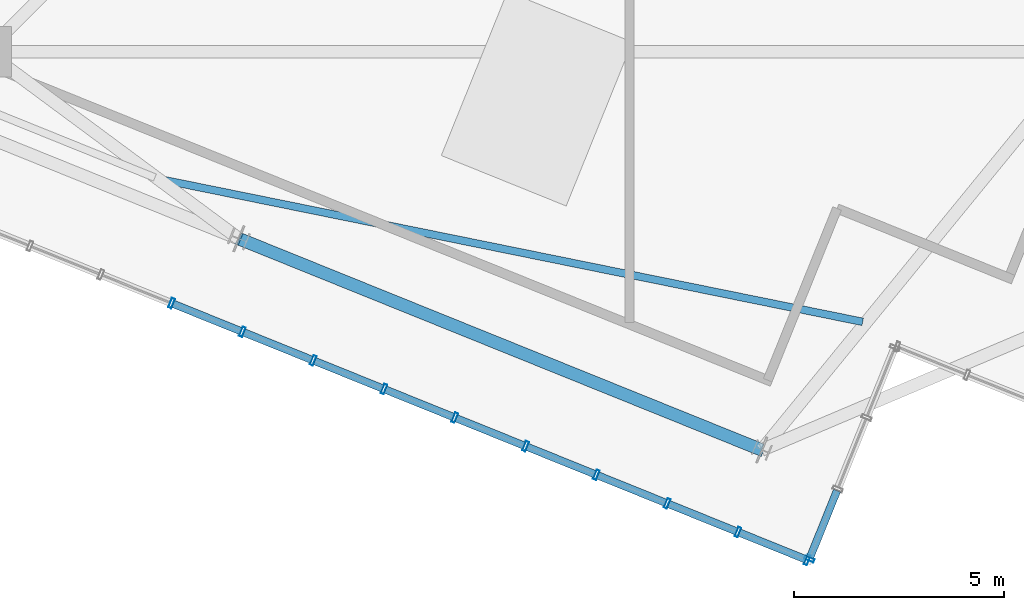
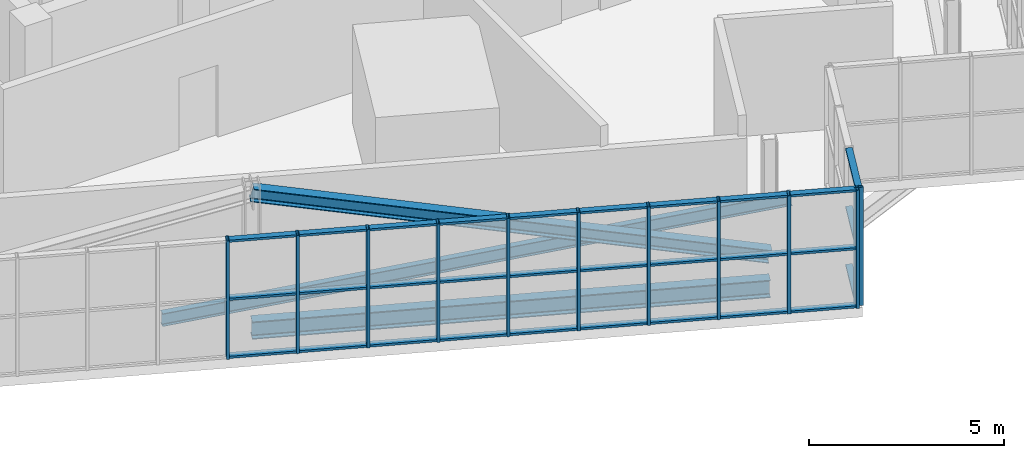
# One storey, part 4 of 26: 42 members, 2 beams, 2 elements without a shape of their own.
"""IFC4 building model written with IfcOpenShell, lengths in metres."""

from ifc_helpers import new_model, si_unit, direction, frame, origin, origin_2d, place, context, subcontext, project, spatial, hollow_rectangle, i_section, extrude, source, transform, mapped, material, layer, layer_set, material_profile, profile_set, type_object, element, aggregate, save


model = new_model("IFC4")

# Units and contexts
model_context = context("Model", 3, precision=1e-05, world=origin(), true_north=direction((0.0, 1.0)))
body_context = subcontext(model_context, "Body", "Model", "MODEL_VIEW")
ifc_project = project(units=[si_unit("LENGTHUNIT", "METRE"), si_unit("AREAUNIT", "SQUARE_METRE"), si_unit("VOLUMEUNIT", "CUBIC_METRE"), si_unit("PLANEANGLEUNIT", "RADIAN"), si_unit("MASSUNIT", "GRAM", prefix="KILO"), si_unit("THERMODYNAMICTEMPERATUREUNIT", "KELVIN")], contexts=[model_context])

# Site, building, storey
site_placement = place(None, origin())
site = spatial("IfcSite", under=ifc_project, at=site_placement, CompositionType="ELEMENT")
building_placement = place(site_placement, origin())
building = spatial("IfcBuilding", under=site, at=building_placement, Name="Kosmvard Interchange Tower", CompositionType="ELEMENT")
storey_placement = place(building_placement, frame((0.0, 0.0, 329.60009765625)))
storey = spatial("IfcBuildingStorey", under=building, at=storey_placement, Name="L81", CompositionType="ELEMENT", Elevation=329.60009765625)

# Member
ifc_material_1 = material(Name="Steel S355", Category="steel")
ifc_material_profile_1 = material_profile(ifc_material_1, i_section(OverallWidth=0.300048828125, OverallDepth=0.39990234375, WebThickness=0.013427734375, FlangeThickness=0.02392578125, FilletRadius=0.027099609375, at=origin_2d()), Name="HEB 400")
ifc_profile_set_1 = profile_set([ifc_material_profile_1], Name="Steel S355")
member_type_1 = type_object("IfcMemberType", Name="Lantern Crown Diagrid Brace HEB 400 S355", PredefinedType="BRACE", material=ifc_profile_set_1)
shared_shape_1 = source(origin(), body_context, "Body", "SweptSolid", [
    extrude(i_section(OverallWidth=0.300048828125, OverallDepth=0.39990234375, WebThickness=0.013427734375, FlangeThickness=0.02392578125, FilletRadius=0.027099609375, at=origin_2d()), origin(), (0.0, 0.0, 1.0), 13.783935546875),
])
member_1_placement = place(storey_placement, frame((5.34423828125, -22.54345703125, 0.419921875), z_axis=(-0.901367558742, 0.364177999122, 0.234330768366), x_axis=(-0.374608243744, -0.927183187789, 0.0)))
element("IfcMember", 1, at=member_1_placement, inside=storey, type_object=member_type_1, Name="L81 Crown Lantern Diagrid Brace W2", PredefinedType="BRACE", context=body_context, shape_type="MappedRepresentation", body=[
    mapped(shared_shape_1, transform((0.0, 0.0, 0.0), scale=1.0)),
])

# Beams
ifc_material_profile_2 = material_profile(ifc_material_1, i_section(OverallWidth=0.300048828125, OverallDepth=0.550048828125, WebThickness=0.014892578125, FlangeThickness=0.029052734375, FilletRadius=0.027099609375, at=origin_2d()), Name="HEB 550")
ifc_profile_set_2 = profile_set([ifc_material_profile_2], Name="Steel S355")
beam_type_1 = type_object("IfcBeamType", Name="Crown Ring Cap Girder HEB 550 S355", PredefinedType="BEAM", material=ifc_profile_set_2)
shared_shape_2 = source(origin(), body_context, "Body", "SweptSolid", [
    extrude(i_section(OverallWidth=0.300048828125, OverallDepth=0.550048828125, WebThickness=0.014892578125, FlangeThickness=0.029052734375, FilletRadius=0.027099609375, at=origin_2d()), origin(), (0.0, 0.0, 1.0), 13.400146484375),
])
beam_1_placement = place(storey_placement, frame((-7.080078125, -17.523681640625, -0.5751953125), z_axis=(0.927183187789, -0.374608243744, 0.0), x_axis=(0.374608243744, 0.927183187789, 0.0)))
element("IfcBeam", 2, at=beam_1_placement, inside=storey, type_object=beam_type_1, Name="BM-L81-PR11", PredefinedType="BEAM", context=body_context, shape_type="MappedRepresentation", body=[
    mapped(shared_shape_2, transform((0.0, 0.0, 0.0), scale=1.0)),
])
ifc_material_profile_3 = material_profile(ifc_material_1, i_section(OverallWidth=0.179931640625, OverallDepth=0.39990234375, WebThickness=0.008544921875, FlangeThickness=0.013427734375, FilletRadius=0.02099609375, at=origin_2d()), Name="IPE 400")
ifc_profile_set_3 = profile_set([ifc_material_profile_3], Name="Steel S355")
beam_type_2 = type_object("IfcBeamType", Name="Upper-Zone Floor Joist IPE 400 S355", PredefinedType="JOIST", material=ifc_profile_set_3)
shared_shape_3 = source(origin(), body_context, "Body", "SweptSolid", [
    extrude(i_section(OverallWidth=0.179931640625, OverallDepth=0.39990234375, WebThickness=0.008544921875, FlangeThickness=0.013427734375, FilletRadius=0.02099609375, at=origin_2d()), origin(), (0.0, 0.0, 1.0), 17.0029296875),
])
beam_2_placement = place(storey_placement, frame((-8.921875, -16.117919921875, -0.5), z_axis=(0.98002341059, -0.198882162837, 0.0), x_axis=(0.198882162837, 0.98002341059, 0.0)))
element("IfcBeam", 3, at=beam_2_placement, inside=storey, type_object=beam_type_2, Name="BM-L81-FJ08", PredefinedType="JOIST", context=body_context, shape_type="MappedRepresentation", body=[
    mapped(shared_shape_3, transform((0.0, 0.0, 0.0), scale=1.0)),
])

# Curtain wall, members
ifc_material_2 = material(Name="Architectural anodised aluminium", Category="aluminium")
ifc_layer = layer(ifc_material_2, 0.25, Name="Architectural anodised aluminium")
ifc_layer_set = layer_set([ifc_layer], Name="Architectural anodised aluminium")
curtain_wall_type = type_object("IfcCurtainWallType", Name="CW-6 Illuminated Crown Lantern Curtain Wall", PredefinedType="NOTDEFINED", material=ifc_layer_set)
curtain_wall_1_placement = place(storey_placement, origin())
curtain_wall_1 = element("IfcCurtainWall", 4, at=curtain_wall_1_placement, inside=storey, type_object=curtain_wall_type, Name="L81 Crown Lantern Glazing Face 10", PredefinedType="NOTDEFINED")
ifc_material_profile_4 = material_profile(ifc_material_2, hollow_rectangle(XDim=0.239990234375, YDim=0.080078125, WallThickness=0.006103515625, at=origin_2d()), Name="CWM 240x80x6")
ifc_profile_set_4 = profile_set([ifc_material_profile_4], Name="Architectural anodised aluminium")
member_type_2 = type_object("IfcMemberType", Name="Lantern & Observation CW Mullion 240x80 Aluminium", PredefinedType="MULLION", material=ifc_profile_set_4)
shared_shape_4 = source(origin(), body_context, "Body", "SweptSolid", [
    extrude(hollow_rectangle(XDim=0.239990234375, YDim=0.080078125, WallThickness=0.006103515625, at=origin_2d()), origin(), (0.0, 0.0, 1.0), 3.699951171875),
])
member_2_placement = place(storey_placement, frame((-8.677734375, -19.056884765625, 0.0), z_axis=(0.0, 0.0, 1.0), x_axis=(0.374606584758, 0.927183858065, 0.0)))
member_2 = element("IfcMember", 5, at=member_2_placement, type_object=member_type_2, Name="CW-6 mullion 9", PredefinedType="MULLION", context=body_context, shape_type="MappedRepresentation", body=[
    mapped(shared_shape_4, transform((0.0, 0.0, 0.0), scale=1.0)),
])
member_3_placement = place(storey_placement, frame((-6.995849609375, -19.736572265625, 0.0), z_axis=(0.0, 0.0, 1.0), x_axis=(0.374606584758, 0.927183858065, 0.0)))
member_3 = element("IfcMember", 6, at=member_3_placement, type_object=member_type_2, Name="CW-6 mullion 10", PredefinedType="MULLION", context=body_context, shape_type="MappedRepresentation", body=[
    mapped(shared_shape_4, transform((0.0, 0.0, 0.0), scale=1.0)),
])
member_4_placement = place(storey_placement, frame((-5.313720703125, -20.416015625, 0.0), z_axis=(0.0, 0.0, 1.0), x_axis=(0.374606584758, 0.927183858065, 0.0)))
member_4 = element("IfcMember", 7, at=member_4_placement, type_object=member_type_2, Name="CW-6 mullion 11", PredefinedType="MULLION", context=body_context, shape_type="MappedRepresentation", body=[
    mapped(shared_shape_4, transform((0.0, 0.0, 0.0), scale=1.0)),
])
member_5_placement = place(storey_placement, frame((-3.6318359375, -21.095703125, 0.0), z_axis=(0.0, 0.0, 1.0), x_axis=(0.374606584758, 0.927183858065, 0.0)))
member_5 = element("IfcMember", 8, at=member_5_placement, type_object=member_type_2, Name="CW-6 mullion 12", PredefinedType="MULLION", context=body_context, shape_type="MappedRepresentation", body=[
    mapped(shared_shape_4, transform((0.0, 0.0, 0.0), scale=1.0)),
])
member_6_placement = place(storey_placement, frame((-1.94970703125, -21.775146484375, 0.0), z_axis=(0.0, 0.0, 1.0), x_axis=(0.374606584758, 0.927183858065, 0.0)))
member_6 = element("IfcMember", 9, at=member_6_placement, type_object=member_type_2, Name="CW-6 mullion 13", PredefinedType="MULLION", context=body_context, shape_type="MappedRepresentation", body=[
    mapped(shared_shape_4, transform((0.0, 0.0, 0.0), scale=1.0)),
])
member_7_placement = place(storey_placement, frame((-0.267578125, -22.454833984375, 0.0), z_axis=(0.0, 0.0, 1.0), x_axis=(0.374606584758, 0.927183858065, 0.0)))
member_7 = element("IfcMember", 10, at=member_7_placement, type_object=member_type_2, Name="CW-6 mullion 14", PredefinedType="MULLION", context=body_context, shape_type="MappedRepresentation", body=[
    mapped(shared_shape_4, transform((0.0, 0.0, 0.0), scale=1.0)),
])
member_8_placement = place(storey_placement, frame((1.414306640625, -23.13427734375, 0.0), z_axis=(0.0, 0.0, 1.0), x_axis=(0.374606584758, 0.927183858065, 0.0)))
member_8 = element("IfcMember", 11, at=member_8_placement, type_object=member_type_2, Name="CW-6 mullion 15", PredefinedType="MULLION", context=body_context, shape_type="MappedRepresentation", body=[
    mapped(shared_shape_4, transform((0.0, 0.0, 0.0), scale=1.0)),
])
member_9_placement = place(storey_placement, frame((3.096435546875, -23.81396484375, 0.0), z_axis=(0.0, 0.0, 1.0), x_axis=(0.374606584758, 0.927183858065, 0.0)))
member_9 = element("IfcMember", 12, at=member_9_placement, type_object=member_type_2, Name="CW-6 mullion 16", PredefinedType="MULLION", context=body_context, shape_type="MappedRepresentation", body=[
    mapped(shared_shape_4, transform((0.0, 0.0, 0.0), scale=1.0)),
])
member_10_placement = place(storey_placement, frame((4.7783203125, -24.49365234375, 0.0), z_axis=(0.0, 0.0, 1.0), x_axis=(0.374606584758, 0.927183858065, 0.0)))
member_10 = element("IfcMember", 13, at=member_10_placement, type_object=member_type_2, Name="CW-6 mullion 17", PredefinedType="MULLION", context=body_context, shape_type="MappedRepresentation", body=[
    mapped(shared_shape_4, transform((0.0, 0.0, 0.0), scale=1.0)),
])
member_11_placement = place(storey_placement, frame((6.42333984375, -25.158203125, 0.0), z_axis=(0.0, 0.0, 1.0), x_axis=(0.374606584758, 0.927183858065, 0.0)))
member_11 = element("IfcMember", 14, at=member_11_placement, type_object=member_type_2, Name="CW-6 mullion 18", PredefinedType="MULLION", context=body_context, shape_type="MappedRepresentation", body=[
    mapped(shared_shape_4, transform((0.0, 0.0, 0.0), scale=1.0)),
])

# Curtain wall, member
curtain_wall_2_placement = place(storey_placement, origin())
curtain_wall_2 = element("IfcCurtainWall", 15, at=curtain_wall_2_placement, inside=storey, type_object=curtain_wall_type, Name="L81 Crown Lantern Glazing Face 11", PredefinedType="NOTDEFINED")
member_12_placement = place(storey_placement, frame((6.475341796875, -25.135986328125, 0.0), z_axis=(0.0, 0.0, 1.0), x_axis=(-0.92718386612, 0.374606564822, 0.0)))
member_12 = element("IfcMember", 16, at=member_12_placement, type_object=member_type_2, Name="CW-6 mullion 1", PredefinedType="MULLION", context=body_context, shape_type="MappedRepresentation", body=[
    mapped(shared_shape_4, transform((0.0, 0.0, 0.0), scale=1.0)),
])

# Member
ifc_material_profile_5 = material_profile(ifc_material_2, hollow_rectangle(XDim=0.179931640625, YDim=0.070068359375, WallThickness=0.0048828125, at=origin_2d()), Name="CWT 180x70x5")
ifc_profile_set_5 = profile_set([ifc_material_profile_5], Name="Architectural anodised aluminium")
member_type_3 = type_object("IfcMemberType", Name="Heavy Lantern CW Transom 180x70 Aluminium", PredefinedType="USERDEFINED", material=ifc_profile_set_5)
shared_shape_5 = source(origin(), body_context, "Body", "SweptSolid", [
    extrude(hollow_rectangle(XDim=0.179931640625, YDim=0.070068359375, WallThickness=0.0048828125, at=origin_2d()), origin(), (0.0, 0.0, 1.0), 1.694091796875),
])
member_13_placement = place(storey_placement, frame((4.8154296875, -24.508544921875, 0.034912109375), z_axis=(0.927209116514, -0.374544061831, 0.0), x_axis=(0.374544061831, 0.927209116514, 0.0)))
member_13 = element("IfcMember", 17, at=member_13_placement, type_object=member_type_3, Name="CW-6 transom 17.1", ObjectType="TRANSOM", PredefinedType="USERDEFINED", context=body_context, shape_type="MappedRepresentation", body=[
    mapped(shared_shape_5, transform((0.0, 0.0, 0.0), scale=1.0)),
])

member_14_placement = place(storey_placement, frame((4.8154296875, -24.508544921875, 1.849853515625), z_axis=(0.927209116514, -0.374544061831, 0.0), x_axis=(0.374544061831, 0.927209116514, 0.0)))
member_14 = element("IfcMember", 18, at=member_14_placement, type_object=member_type_3, Name="CW-6 transom 17.2", ObjectType="TRANSOM", PredefinedType="USERDEFINED", context=body_context, shape_type="MappedRepresentation", body=[
    mapped(shared_shape_5, transform((0.0, 0.0, 0.0), scale=1.0)),
])

member_15_placement = place(storey_placement, frame((4.8154296875, -24.508544921875, 3.664794921875), z_axis=(0.927209116514, -0.374544061831, 0.0), x_axis=(0.374544061831, 0.927209116514, 0.0)))
member_15 = element("IfcMember", 19, at=member_15_placement, type_object=member_type_3, Name="CW-6 transom 17.3", ObjectType="TRANSOM", PredefinedType="USERDEFINED", context=body_context, shape_type="MappedRepresentation", body=[
    mapped(shared_shape_5, transform((0.0, 0.0, 0.0), scale=1.0)),
])

shared_shape_6 = source(origin(), body_context, "Body", "SweptSolid", [
    extrude(hollow_rectangle(XDim=0.179931640625, YDim=0.070068359375, WallThickness=0.0048828125, at=origin_2d()), origin(), (0.0, 0.0, 1.0), 1.734130859375),
])
member_16_placement = place(storey_placement, frame((-6.958740234375, -19.75146484375, 0.034912109375), z_axis=(0.927179782522, -0.374616671924, 0.0), x_axis=(0.374616671924, 0.927179782522, 0.0)))
member_16 = element("IfcMember", 20, at=member_16_placement, type_object=member_type_3, Name="CW-6 transom 10.1", ObjectType="TRANSOM", PredefinedType="USERDEFINED", context=body_context, shape_type="MappedRepresentation", body=[
    mapped(shared_shape_6, transform((0.0, 0.0, 0.0), scale=1.0)),
])

member_17_placement = place(storey_placement, frame((-6.958740234375, -19.75146484375, 1.849853515625), z_axis=(0.927179782522, -0.374616671924, 0.0), x_axis=(0.374616671924, 0.927179782522, 0.0)))
member_17 = element("IfcMember", 21, at=member_17_placement, type_object=member_type_3, Name="CW-6 transom 10.2", ObjectType="TRANSOM", PredefinedType="USERDEFINED", context=body_context, shape_type="MappedRepresentation", body=[
    mapped(shared_shape_6, transform((0.0, 0.0, 0.0), scale=1.0)),
])

member_18_placement = place(storey_placement, frame((-6.958740234375, -19.75146484375, 3.664794921875), z_axis=(0.927179782522, -0.374616671924, 0.0), x_axis=(0.374616671924, 0.927179782522, 0.0)))
member_18 = element("IfcMember", 22, at=member_18_placement, type_object=member_type_3, Name="CW-6 transom 10.3", ObjectType="TRANSOM", PredefinedType="USERDEFINED", context=body_context, shape_type="MappedRepresentation", body=[
    mapped(shared_shape_6, transform((0.0, 0.0, 0.0), scale=1.0)),
])

member_19_placement = place(storey_placement, frame((-5.276611328125, -20.43115234375, 0.034912109375), z_axis=(0.927228675447, -0.374495638732, 0.0), x_axis=(0.374495638732, 0.927228675447, 0.0)))
member_19 = element("IfcMember", 23, at=member_19_placement, type_object=member_type_3, Name="CW-6 transom 11.1", ObjectType="TRANSOM", PredefinedType="USERDEFINED", context=body_context, shape_type="MappedRepresentation", body=[
    mapped(shared_shape_6, transform((0.0, 0.0, 0.0), scale=1.0)),
])

member_20_placement = place(storey_placement, frame((-5.276611328125, -20.43115234375, 1.849853515625), z_axis=(0.927228675447, -0.374495638732, 0.0), x_axis=(0.374495638732, 0.927228675447, 0.0)))
member_20 = element("IfcMember", 24, at=member_20_placement, type_object=member_type_3, Name="CW-6 transom 11.2", ObjectType="TRANSOM", PredefinedType="USERDEFINED", context=body_context, shape_type="MappedRepresentation", body=[
    mapped(shared_shape_6, transform((0.0, 0.0, 0.0), scale=1.0)),
])

member_21_placement = place(storey_placement, frame((-5.276611328125, -20.43115234375, 3.664794921875), z_axis=(0.927228675447, -0.374495638732, 0.0), x_axis=(0.374495638732, 0.927228675447, 0.0)))
member_21 = element("IfcMember", 25, at=member_21_placement, type_object=member_type_3, Name="CW-6 transom 11.3", ObjectType="TRANSOM", PredefinedType="USERDEFINED", context=body_context, shape_type="MappedRepresentation", body=[
    mapped(shared_shape_6, transform((0.0, 0.0, 0.0), scale=1.0)),
])

member_22_placement = place(storey_placement, frame((-3.5947265625, -21.110595703125, 0.034912109375), z_axis=(0.927179782522, -0.374616671924, 0.0), x_axis=(0.374616671924, 0.927179782522, 0.0)))
member_22 = element("IfcMember", 26, at=member_22_placement, type_object=member_type_3, Name="CW-6 transom 12.1", ObjectType="TRANSOM", PredefinedType="USERDEFINED", context=body_context, shape_type="MappedRepresentation", body=[
    mapped(shared_shape_6, transform((0.0, 0.0, 0.0), scale=1.0)),
])

member_23_placement = place(storey_placement, frame((-3.5947265625, -21.110595703125, 1.849853515625), z_axis=(0.927179782522, -0.374616671924, 0.0), x_axis=(0.374616671924, 0.927179782522, 0.0)))
member_23 = element("IfcMember", 27, at=member_23_placement, type_object=member_type_3, Name="CW-6 transom 12.2", ObjectType="TRANSOM", PredefinedType="USERDEFINED", context=body_context, shape_type="MappedRepresentation", body=[
    mapped(shared_shape_6, transform((0.0, 0.0, 0.0), scale=1.0)),
])

member_24_placement = place(storey_placement, frame((-3.5947265625, -21.110595703125, 3.664794921875), z_axis=(0.927179782522, -0.374616671924, 0.0), x_axis=(0.374616671924, 0.927179782522, 0.0)))
member_24 = element("IfcMember", 28, at=member_24_placement, type_object=member_type_3, Name="CW-6 transom 12.3", ObjectType="TRANSOM", PredefinedType="USERDEFINED", context=body_context, shape_type="MappedRepresentation", body=[
    mapped(shared_shape_6, transform((0.0, 0.0, 0.0), scale=1.0)),
])

member_25_placement = place(storey_placement, frame((-1.91259765625, -21.790283203125, 0.034912109375), z_axis=(0.927228675447, -0.374495638732, 0.0), x_axis=(0.374495638732, 0.927228675447, 0.0)))
member_25 = element("IfcMember", 29, at=member_25_placement, type_object=member_type_3, Name="CW-6 transom 13.1", ObjectType="TRANSOM", PredefinedType="USERDEFINED", context=body_context, shape_type="MappedRepresentation", body=[
    mapped(shared_shape_6, transform((0.0, 0.0, 0.0), scale=1.0)),
])

member_26_placement = place(storey_placement, frame((-1.91259765625, -21.790283203125, 1.849853515625), z_axis=(0.927228675447, -0.374495638732, 0.0), x_axis=(0.374495638732, 0.927228675447, 0.0)))
member_26 = element("IfcMember", 30, at=member_26_placement, type_object=member_type_3, Name="CW-6 transom 13.2", ObjectType="TRANSOM", PredefinedType="USERDEFINED", context=body_context, shape_type="MappedRepresentation", body=[
    mapped(shared_shape_6, transform((0.0, 0.0, 0.0), scale=1.0)),
])

member_27_placement = place(storey_placement, frame((-1.91259765625, -21.790283203125, 3.664794921875), z_axis=(0.927228675447, -0.374495638732, 0.0), x_axis=(0.374495638732, 0.927228675447, 0.0)))
member_27 = element("IfcMember", 31, at=member_27_placement, type_object=member_type_3, Name="CW-6 transom 13.3", ObjectType="TRANSOM", PredefinedType="USERDEFINED", context=body_context, shape_type="MappedRepresentation", body=[
    mapped(shared_shape_6, transform((0.0, 0.0, 0.0), scale=1.0)),
])

member_28_placement = place(storey_placement, frame((1.451416015625, -23.1494140625, 0.034912109375), z_axis=(0.927179782522, -0.374616671924, 0.0), x_axis=(0.374616671924, 0.927179782522, 0.0)))
member_28 = element("IfcMember", 32, at=member_28_placement, type_object=member_type_3, Name="CW-6 transom 15.1", ObjectType="TRANSOM", PredefinedType="USERDEFINED", context=body_context, shape_type="MappedRepresentation", body=[
    mapped(shared_shape_6, transform((0.0, 0.0, 0.0), scale=1.0)),
])

member_29_placement = place(storey_placement, frame((1.451416015625, -23.1494140625, 1.849853515625), z_axis=(0.927179782522, -0.374616671924, 0.0), x_axis=(0.374616671924, 0.927179782522, 0.0)))
member_29 = element("IfcMember", 33, at=member_29_placement, type_object=member_type_3, Name="CW-6 transom 15.2", ObjectType="TRANSOM", PredefinedType="USERDEFINED", context=body_context, shape_type="MappedRepresentation", body=[
    mapped(shared_shape_6, transform((0.0, 0.0, 0.0), scale=1.0)),
])

member_30_placement = place(storey_placement, frame((1.451416015625, -23.1494140625, 3.664794921875), z_axis=(0.927179782522, -0.374616671924, 0.0), x_axis=(0.374616671924, 0.927179782522, 0.0)))
member_30 = element("IfcMember", 34, at=member_30_placement, type_object=member_type_3, Name="CW-6 transom 15.3", ObjectType="TRANSOM", PredefinedType="USERDEFINED", context=body_context, shape_type="MappedRepresentation", body=[
    mapped(shared_shape_6, transform((0.0, 0.0, 0.0), scale=1.0)),
])

shared_shape_7 = source(origin(), body_context, "Body", "SweptSolid", [
    extrude(hollow_rectangle(XDim=0.179931640625, YDim=0.070068359375, WallThickness=0.0048828125, at=origin_2d()), origin(), (0.0, 0.0, 1.0), 1.73388671875),
])
member_31_placement = place(storey_placement, frame((-8.640625, -19.07177734375, 0.034912109375), z_axis=(0.927160021861, -0.374665576032, 0.0), x_axis=(0.374665576032, 0.927160021861, 0.0)))
member_31 = element("IfcMember", 35, at=member_31_placement, type_object=member_type_3, Name="CW-6 transom 9.1", ObjectType="TRANSOM", PredefinedType="USERDEFINED", context=body_context, shape_type="MappedRepresentation", body=[
    mapped(shared_shape_7, transform((0.0, 0.0, 0.0), scale=1.0)),
])

member_32_placement = place(storey_placement, frame((-8.640625, -19.07177734375, 1.849853515625), z_axis=(0.927160021861, -0.374665576032, 0.0), x_axis=(0.374665576032, 0.927160021861, 0.0)))
member_32 = element("IfcMember", 36, at=member_32_placement, type_object=member_type_3, Name="CW-6 transom 9.2", ObjectType="TRANSOM", PredefinedType="USERDEFINED", context=body_context, shape_type="MappedRepresentation", body=[
    mapped(shared_shape_7, transform((0.0, 0.0, 0.0), scale=1.0)),
])

member_33_placement = place(storey_placement, frame((-8.640625, -19.07177734375, 3.664794921875), z_axis=(0.927160021861, -0.374665576032, 0.0), x_axis=(0.374665576032, 0.927160021861, 0.0)))
member_33 = element("IfcMember", 37, at=member_33_placement, type_object=member_type_3, Name="CW-6 transom 9.3", ObjectType="TRANSOM", PredefinedType="USERDEFINED", context=body_context, shape_type="MappedRepresentation", body=[
    mapped(shared_shape_7, transform((0.0, 0.0, 0.0), scale=1.0)),
])

member_34_placement = place(storey_placement, frame((-0.23046875, -22.4697265625, 0.034912109375), z_axis=(0.927160021861, -0.374665576032, 0.0), x_axis=(0.374665576032, 0.927160021861, 0.0)))
member_34 = element("IfcMember", 38, at=member_34_placement, type_object=member_type_3, Name="CW-6 transom 14.1", ObjectType="TRANSOM", PredefinedType="USERDEFINED", context=body_context, shape_type="MappedRepresentation", body=[
    mapped(shared_shape_7, transform((0.0, 0.0, 0.0), scale=1.0)),
])

member_35_placement = place(storey_placement, frame((-0.23046875, -22.4697265625, 1.849853515625), z_axis=(0.927160021861, -0.374665576032, 0.0), x_axis=(0.374665576032, 0.927160021861, 0.0)))
member_35 = element("IfcMember", 39, at=member_35_placement, type_object=member_type_3, Name="CW-6 transom 14.2", ObjectType="TRANSOM", PredefinedType="USERDEFINED", context=body_context, shape_type="MappedRepresentation", body=[
    mapped(shared_shape_7, transform((0.0, 0.0, 0.0), scale=1.0)),
])

member_36_placement = place(storey_placement, frame((-0.23046875, -22.4697265625, 3.664794921875), z_axis=(0.927160021861, -0.374665576032, 0.0), x_axis=(0.374665576032, 0.927160021861, 0.0)))
member_36 = element("IfcMember", 40, at=member_36_placement, type_object=member_type_3, Name="CW-6 transom 14.3", ObjectType="TRANSOM", PredefinedType="USERDEFINED", context=body_context, shape_type="MappedRepresentation", body=[
    mapped(shared_shape_7, transform((0.0, 0.0, 0.0), scale=1.0)),
])

member_37_placement = place(storey_placement, frame((3.133544921875, -23.828857421875, 0.034912109375), z_axis=(0.927160021861, -0.374665576032, 0.0), x_axis=(0.374665576032, 0.927160021861, 0.0)))
member_37 = element("IfcMember", 41, at=member_37_placement, type_object=member_type_3, Name="CW-6 transom 16.1", ObjectType="TRANSOM", PredefinedType="USERDEFINED", context=body_context, shape_type="MappedRepresentation", body=[
    mapped(shared_shape_7, transform((0.0, 0.0, 0.0), scale=1.0)),
])

member_38_placement = place(storey_placement, frame((3.133544921875, -23.828857421875, 1.849853515625), z_axis=(0.927160021861, -0.374665576032, 0.0), x_axis=(0.374665576032, 0.927160021861, 0.0)))
member_38 = element("IfcMember", 42, at=member_38_placement, type_object=member_type_3, Name="CW-6 transom 16.2", ObjectType="TRANSOM", PredefinedType="USERDEFINED", context=body_context, shape_type="MappedRepresentation", body=[
    mapped(shared_shape_7, transform((0.0, 0.0, 0.0), scale=1.0)),
])

member_39_placement = place(storey_placement, frame((3.133544921875, -23.828857421875, 3.664794921875), z_axis=(0.927160021861, -0.374665576032, 0.0), x_axis=(0.374665576032, 0.927160021861, 0.0)))
member_39 = element("IfcMember", 43, at=member_39_placement, type_object=member_type_3, Name="CW-6 transom 16.3", ObjectType="TRANSOM", PredefinedType="USERDEFINED", context=body_context, shape_type="MappedRepresentation", body=[
    mapped(shared_shape_7, transform((0.0, 0.0, 0.0), scale=1.0)),
])

aggregate(curtain_wall_1, [member_2, member_3, member_4, member_5, member_6, member_7, member_8, member_9, member_10, member_11, member_31, member_32, member_33, member_16, member_17, member_18, member_19, member_20, member_21, member_22, member_23, member_24, member_25, member_26, member_27, member_34, member_35, member_36, member_28, member_29, member_30, member_37, member_38, member_39, member_13, member_14, member_15])

shared_shape_8 = source(origin(), body_context, "Body", "SweptSolid", [
    extrude(hollow_rectangle(XDim=0.179931640625, YDim=0.070068359375, WallThickness=0.0048828125, at=origin_2d()), origin(), (0.0, 0.0, 1.0), 1.71337890625),
])
member_40_placement = place(storey_placement, frame((6.490478515625, -25.098876953125, 0.034912109375), z_axis=(0.374484254265, 0.927233273404, 0.0), x_axis=(-0.927233273404, 0.374484254265, 0.0)))
member_40 = element("IfcMember", 44, at=member_40_placement, type_object=member_type_3, Name="CW-6 transom 1.1", ObjectType="TRANSOM", PredefinedType="USERDEFINED", context=body_context, shape_type="MappedRepresentation", body=[
    mapped(shared_shape_8, transform((0.0, 0.0, 0.0), scale=1.0)),
])

member_41_placement = place(storey_placement, frame((6.490478515625, -25.098876953125, 1.849853515625), z_axis=(0.374484254265, 0.927233273404, 0.0), x_axis=(-0.927233273404, 0.374484254265, 0.0)))
member_41 = element("IfcMember", 45, at=member_41_placement, type_object=member_type_3, Name="CW-6 transom 1.2", ObjectType="TRANSOM", PredefinedType="USERDEFINED", context=body_context, shape_type="MappedRepresentation", body=[
    mapped(shared_shape_8, transform((0.0, 0.0, 0.0), scale=1.0)),
])

member_42_placement = place(storey_placement, frame((6.490478515625, -25.098876953125, 3.664794921875), z_axis=(0.374484254265, 0.927233273404, 0.0), x_axis=(-0.927233273404, 0.374484254265, 0.0)))
member_42 = element("IfcMember", 46, at=member_42_placement, type_object=member_type_3, Name="CW-6 transom 1.3", ObjectType="TRANSOM", PredefinedType="USERDEFINED", context=body_context, shape_type="MappedRepresentation", body=[
    mapped(shared_shape_8, transform((0.0, 0.0, 0.0), scale=1.0)),
])

aggregate(curtain_wall_2, [member_12, member_40, member_41, member_42])

save(model, "model.ifc")
